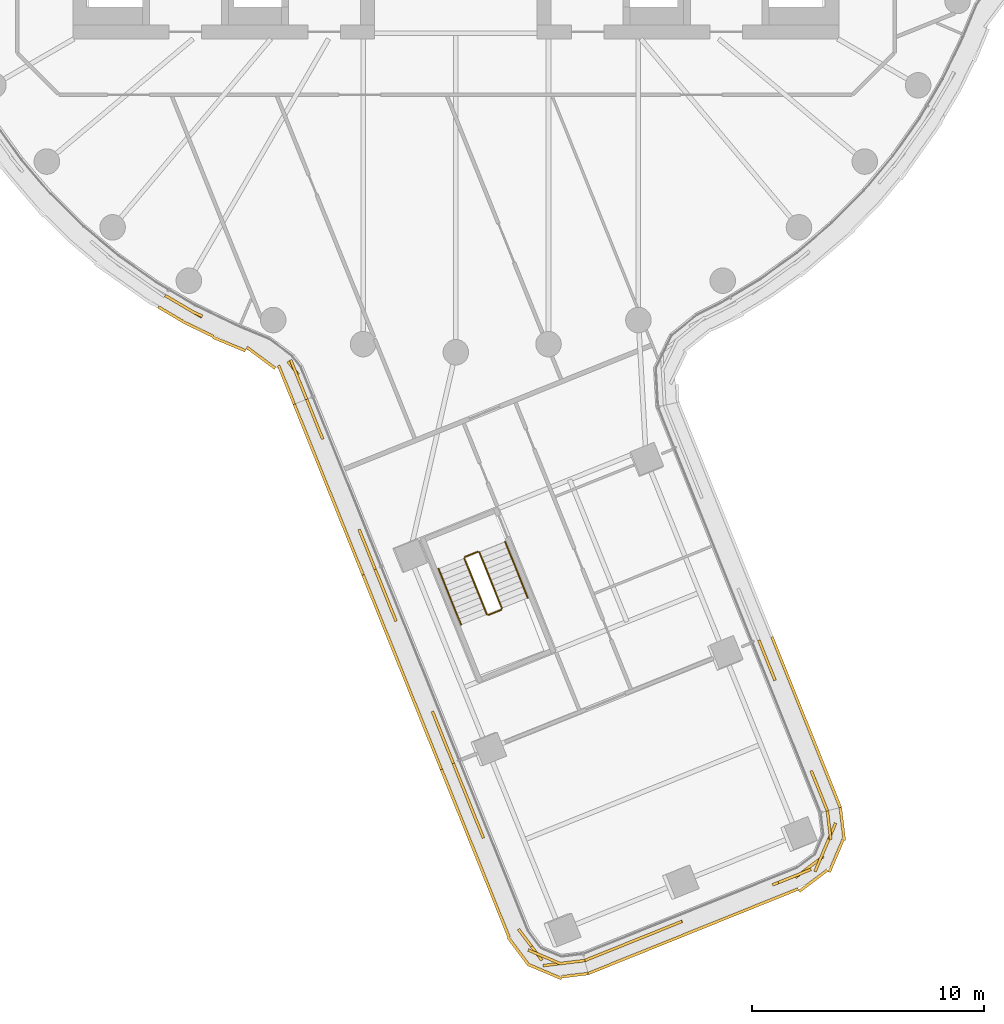
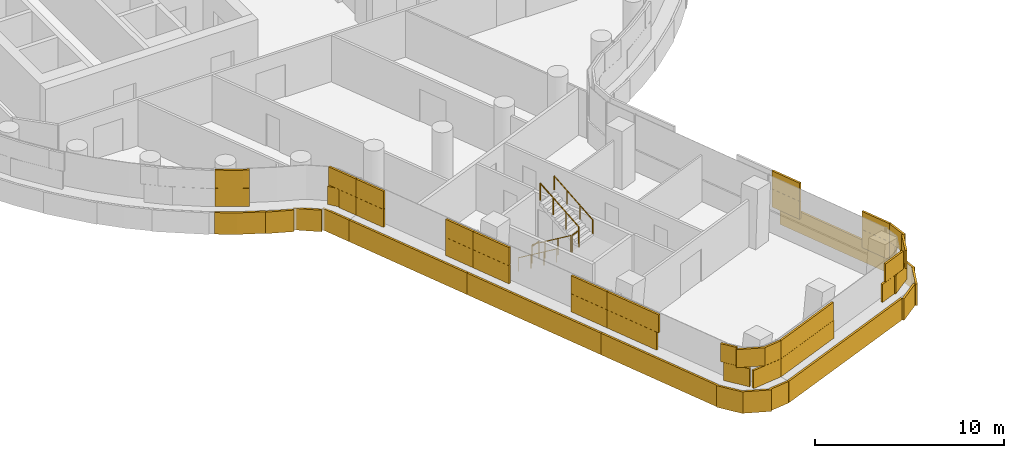
# One storey, part 26 of 32: 6 coverings, 6 railings.
"""IFC4 building model written with IfcOpenShell, lengths in metres."""

from ifc_helpers import new_model, si_unit, direction, frame, origin, origin_2d, place, context, subcontext, project, spatial, rectangle, circle, extrude, material, layer, layer_set, type_object, element, save


model = new_model("IFC4")

# Units and contexts
model_context = context("Model", 3, precision=1e-05, world=origin(), true_north=direction((0.0, 1.0)))
body_context = subcontext(model_context, "Body", "Model", "MODEL_VIEW")
ifc_project = project(units=[si_unit("LENGTHUNIT", "METRE"), si_unit("AREAUNIT", "SQUARE_METRE"), si_unit("VOLUMEUNIT", "CUBIC_METRE"), si_unit("PLANEANGLEUNIT", "RADIAN"), si_unit("MASSUNIT", "GRAM", prefix="KILO")], contexts=[model_context])

# Site, building, storey
site_placement = place(None, origin())
site = spatial("IfcSite", under=ifc_project, at=site_placement, CompositionType="ELEMENT")
building_placement = place(site_placement, origin())
building = spatial("IfcBuilding", under=site, at=building_placement, Name="Tamarind Cross Interchange Tower", CompositionType="ELEMENT")
storey_placement = place(building_placement, frame((0.0, 0.0, 113.5)))
storey = spatial("IfcBuildingStorey", under=building, at=storey_placement, Name="L27", CompositionType="ELEMENT", Elevation=113.5)

# Railings
ifc_material_1 = material(Name="Stair guard")
railing_type_1 = type_object("IfcRailingType", Name="Stair guard", PredefinedType="GUARDRAIL", material=ifc_material_1)
railing_1_placement = place(storey_placement, frame((0.36767578125, -31.878173828125, 0.17041015625)))
element("IfcRailing", 1, at=railing_1_placement, inside=storey, type_object=railing_type_1, Name="L27 ST6 stair guard 1", PredefinedType="GUARDRAIL", context=body_context, shape_type="SweptSolid", body=[
    extrude(circle(Radius=0.02392578125, at=origin_2d()), frame((0.0, 0.0, 1.076171875), z_axis=(0.312469690883, -0.775716412802, 0.548294390988), x_axis=(0.927573790047, 0.373640019295, 0.0)), (0.0, 0.0, 1.0), 3.10888671875),
    extrude(circle(Radius=0.02099609375, at=origin_2d()), origin(), (0.0, 0.0, 1.0), 1.052001953125),
    extrude(circle(Radius=0.02099609375, at=origin_2d()), frame((0.32373046875, -0.803955078125, 0.568115234375)), (0.0, 0.0, 1.0), 1.052001953125),
    extrude(circle(Radius=0.02099609375, at=origin_2d()), frame((0.647705078125, -1.607666015625, 1.136474609375)), (0.0, 0.0, 1.0), 1.052001953125),
    extrude(circle(Radius=0.02099609375, at=origin_2d()), frame((0.971435546875, -2.41162109375, 1.70458984375)), (0.0, 0.0, 1.0), 1.052001953125),
])
railing_2_placement = place(storey_placement, frame((1.404052734375, -34.317626953125, 1.875)))
element("IfcRailing", 2, at=railing_2_placement, inside=storey, type_object=railing_type_1, Name="L27 ST6 stair guard 2", PredefinedType="GUARDRAIL", context=body_context, shape_type="SweptSolid", body=[
    extrude(circle(Radius=0.02392578125, at=origin_2d()), frame((0.0, 0.0, 1.076171875), z_axis=(0.92749152794, 0.373844172885, 0.0), x_axis=(-0.373844172885, 0.92749152794, 0.0)), (0.0, 0.0, 1.0), 0.60009765625),
    extrude(circle(Radius=0.02099609375, at=origin_2d()), origin(), (0.0, 0.0, 1.0), 1.052001953125),
    extrude(circle(Radius=0.02099609375, at=origin_2d()), frame((0.556640625, 0.224365234375, 0.0)), (0.0, 0.0, 1.0), 1.052001953125),
])
railing_3_placement = place(storey_placement, frame((1.98828125, -34.0283203125, 2.04541015625)))
element("IfcRailing", 3, at=railing_3_placement, inside=storey, type_object=railing_type_1, Name="L27 ST6 stair guard 3", PredefinedType="GUARDRAIL", context=body_context, shape_type="SweptSolid", body=[
    extrude(circle(Radius=0.02392578125, at=origin_2d()), frame((0.0, 0.0, 1.076171875), z_axis=(-0.312450657011, 0.775747685502, 0.548260992021), x_axis=(-0.927586897837, -0.373607477122, 0.0)), (0.0, 0.0, 1.0), 3.109130859375),
    extrude(circle(Radius=0.02099609375, at=origin_2d()), origin(), (0.0, 0.0, 1.0), 1.052001953125),
    extrude(circle(Radius=0.02099609375, at=origin_2d()), frame((-0.32373046875, 0.803955078125, 0.568115234375)), (0.0, 0.0, 1.0), 1.052001953125),
    extrude(circle(Radius=0.02099609375, at=origin_2d()), frame((-0.647705078125, 1.60791015625, 1.136474609375)), (0.0, 0.0, 1.0), 1.052001953125),
    extrude(circle(Radius=0.02099609375, at=origin_2d()), frame((-0.971435546875, 2.411865234375, 1.70458984375)), (0.0, 0.0, 1.0), 1.052001953125),
])
railing_4_placement = place(storey_placement, frame((0.395263671875, -31.81298828125, 0.0)))
element("IfcRailing", 4, at=railing_4_placement, inside=storey, type_object=railing_type_1, Name="L27 ST6 stair guard 4", PredefinedType="GUARDRAIL", context=body_context, shape_type="SweptSolid", body=[
    extrude(circle(Radius=0.02392578125, at=origin_2d()), frame((0.0, 0.0, 1.076171875), z_axis=(0.927632534186, 0.373494151922, 0.0), x_axis=(-0.373494151922, 0.927632534186, 0.0)), (0.0, 0.0, 1.0), 0.60009765625),
    extrude(circle(Radius=0.02099609375, at=origin_2d()), origin(), (0.0, 0.0, 1.0), 1.052001953125),
    extrude(circle(Radius=0.02099609375, at=origin_2d()), frame((0.556640625, 0.22412109375, 0.0)), (0.0, 0.0, 1.0), 1.052001953125),
])
ifc_material_2 = material(Name="Stair handrail")
railing_type_2 = type_object("IfcRailingType", Name="Stair handrail", PredefinedType="HANDRAIL", material=ifc_material_2)
railing_5_placement = place(storey_placement, frame((-0.74560546875, -32.326416015625, 0.17041015625)))
element("IfcRailing", 5, at=railing_5_placement, inside=storey, type_object=railing_type_2, Name="L27 ST6 stair handrail 1", PredefinedType="HANDRAIL", context=body_context, shape_type="SweptSolid", body=[
    extrude(circle(Radius=0.02392578125, at=origin_2d()), frame((0.0, 0.0, 0.8759765625), z_axis=(0.312521513295, -0.775728650715, 0.548247539153), x_axis=(0.927554355892, 0.373688261611, 0.0)), (0.0, 0.0, 1.0), 3.109130859375),
    extrude(circle(Radius=0.02099609375, at=origin_2d()), origin(), (0.0, 0.0, 1.0), 0.851806640625),
    extrude(circle(Radius=0.02099609375, at=origin_2d()), frame((0.323974609375, -0.803955078125, 0.568115234375)), (0.0, 0.0, 1.0), 0.851806640625),
    extrude(circle(Radius=0.02099609375, at=origin_2d()), frame((0.647705078125, -1.60791015625, 1.136474609375)), (0.0, 0.0, 1.0), 0.851806640625),
    extrude(circle(Radius=0.02099609375, at=origin_2d()), frame((0.9716796875, -2.411865234375, 1.70458984375)), (0.0, 0.0, 1.0), 0.851806640625),
])
railing_6_placement = place(storey_placement, frame((3.101318359375, -33.579833984375, 2.04541015625)))
element("IfcRailing", 6, at=railing_6_placement, inside=storey, type_object=railing_type_2, Name="L27 ST6 stair handrail 2", PredefinedType="HANDRAIL", context=body_context, shape_type="SweptSolid", body=[
    extrude(circle(Radius=0.02392578125, at=origin_2d()), frame((0.0, 0.0, 0.8759765625), z_axis=(-0.312469690883, 0.775716412802, 0.548294390988), x_axis=(-0.927573790047, -0.373640019295, 0.0)), (0.0, 0.0, 1.0), 3.10888671875),
    extrude(circle(Radius=0.02099609375, at=origin_2d()), origin(), (0.0, 0.0, 1.0), 0.851806640625),
    extrude(circle(Radius=0.02099609375, at=origin_2d()), frame((-0.32373046875, 0.803955078125, 0.568115234375)), (0.0, 0.0, 1.0), 0.851806640625),
    extrude(circle(Radius=0.02099609375, at=origin_2d()), frame((-0.647705078125, 1.607666015625, 1.136474609375)), (0.0, 0.0, 1.0), 0.851806640625),
    extrude(circle(Radius=0.02099609375, at=origin_2d()), frame((-0.971435546875, 2.41162109375, 1.70458984375)), (0.0, 0.0, 1.0), 0.851806640625),
])

# Coverings
ifc_material_3 = material(Name="Terracotta", Category="masonry")
ifc_layer = layer(ifc_material_3, 0.1201171875)
ifc_layer_set = layer_set([ifc_layer], Name="Terracotta")
covering_type = type_object("IfcCoveringType", Name="Terracotta baguette screen unit", PredefinedType="MOLDING", material=ifc_layer_set)
covering_1_placement = place(storey_placement, origin())
element("IfcCovering", 7, at=covering_1_placement, inside=storey, type_object=covering_type, Name="SCR-L27-02-01", PredefinedType="MOLDING", context=body_context, shape_type="SweptSolid", body=[
    extrude(rectangle(XDim=0.75146484375, YDim=0.1201171875, at=origin_2d()), frame((-12.197265625, -20.745361328125, 1.404052734375), z_axis=(0.0, 0.0, 1.0), x_axis=(0.861248933065, -0.508183308752, 0.0)), (0.0, 0.0, 1.0), 1.1669921875),
    extrude(rectangle(XDim=1.095703125, YDim=0.1201171875, at=origin_2d()), frame((-11.410400390625, -21.209716796875, 1.404052734375), z_axis=(0.0, 0.0, 1.0), x_axis=(0.861248933065, -0.508183308752, 0.0)), (0.0, 0.0, 1.0), 1.1669921875),
    extrude(rectangle(XDim=0.72412109375, YDim=0.1201171875, at=origin_2d()), frame((-7.0087890625, -23.678955078125, 1.404052734375), z_axis=(0.0, 0.0, 1.0), x_axis=(0.613079496716, -0.790021221681, 0.0)), (0.0, 0.0, 1.0), 1.1669921875),
    extrude(rectangle(XDim=1.123046875, YDim=0.1201171875, at=origin_2d()), frame((-6.635009765625, -24.508056640625, 1.404052734375), z_axis=(0.0, 0.0, 1.0), x_axis=(0.376468064205, -0.926429596156, 0.0)), (0.0, 0.0, 1.0), 1.1669921875),
    extrude(rectangle(XDim=1.50146484375, YDim=0.1201171875, at=origin_2d()), frame((-11.874267578125, -20.93603515625, 2.5791015625), z_axis=(0.0, 0.0, 1.0), x_axis=(0.861248933065, -0.508183308752, 0.0)), (0.0, 0.0, 1.0), 1.1669921875),
    extrude(rectangle(XDim=0.345703125, YDim=0.1201171875, at=origin_2d()), frame((-11.074462890625, -21.376220703125, 2.5791015625), z_axis=(0.0, 0.0, 1.0), x_axis=(0.900272776334, -0.435326231914, 0.0)), (0.0, 0.0, 1.0), 1.1669921875),
    extrude(rectangle(XDim=1.47412109375, YDim=0.1201171875, at=origin_2d()), frame((-6.837890625, -24.00927734375, 2.5791015625), z_axis=(0.0, 0.0, 1.0), x_axis=(0.376468064205, -0.926429596156, 0.0)), (0.0, 0.0, 1.0), 1.1669921875),
    extrude(rectangle(XDim=0.373046875, YDim=0.1201171875, at=origin_2d()), frame((-6.493896484375, -24.85546875, 2.5791015625), z_axis=(0.0, 0.0, 1.0), x_axis=(0.376468064205, -0.926429596156, 0.0)), (0.0, 0.0, 1.0), 1.1669921875),
    extrude(rectangle(XDim=1.202880859375, YDim=0.1201171875, at=origin_2d()), frame((-12.297119140625, -21.35302734375, 0.00390625), z_axis=(0.0, 0.0, 1.0), x_axis=(0.861248933065, -0.508183308752, 0.0)), (0.0, 0.0, 1.0), 1.39208984375),
    extrude(rectangle(XDim=1.52001953125, YDim=0.1201171875, at=origin_2d()), frame((-11.119140625, -21.9921875, 0.00390625), z_axis=(0.0, 0.0, 1.0), x_axis=(0.900272776334, -0.435326231914, 0.0)), (0.0, 0.0, 1.0), 1.39208984375),
    extrude(rectangle(XDim=1.52001953125, YDim=0.1201171875, at=origin_2d()), frame((-9.767578125, -22.642578125, 0.00390625), z_axis=(0.0, 0.0, 1.0), x_axis=(0.92283459186, -0.385196464244, 0.0)), (0.0, 0.0, 1.0), 1.39208984375),
    extrude(rectangle(XDim=1.52001953125, YDim=0.1201171875, at=origin_2d()), frame((-8.393310546875, -23.23779296875, 0.00390625), z_axis=(0.0, 0.0, 1.0), x_axis=(0.801236664296, -0.59834756437, 0.0)), (0.0, 0.0, 1.0), 1.39208984375),
    extrude(rectangle(XDim=1.52001953125, YDim=0.1201171875, at=origin_2d()), frame((-7.349853515625, -24.273681640625, 0.00390625), z_axis=(0.0, 0.0, 1.0), x_axis=(0.376468064205, -0.926429596156, 0.0)), (0.0, 0.0, 1.0), 1.39208984375),
    extrude(rectangle(XDim=0.302001953125, YDim=0.1201171875, at=origin_2d()), frame((-7.0146484375, -25.09912109375, 0.00390625), z_axis=(0.0, 0.0, 1.0), x_axis=(0.376468064205, -0.926429596156, 0.0)), (0.0, 0.0, 1.0), 1.39208984375),
])
covering_2_placement = place(storey_placement, origin())
element("IfcCovering", 8, at=covering_2_placement, inside=storey, type_object=covering_type, Name="SCR-L27-03-00", PredefinedType="MOLDING", context=body_context, shape_type="SweptSolid", body=[
    extrude(rectangle(XDim=0.760009765625, YDim=0.1201171875, at=origin_2d()), frame((-6.285400390625, -25.37158203125, 1.404052734375), z_axis=(0.0, 0.0, 1.0), x_axis=(0.373648394893, -0.927570416192, 0.0)), (0.0, 0.0, 1.0), 1.1669921875),
    extrude(rectangle(XDim=1.110107421875, YDim=0.1201171875, at=origin_2d()), frame((-5.93994140625, -26.2294921875, 1.404052734375), z_axis=(0.0, 0.0, 1.0), x_axis=(0.373648394893, -0.927570416192, 0.0)), (0.0, 0.0, 1.0), 1.1669921875),
    extrude(rectangle(XDim=0.7099609375, YDim=0.1201171875, at=origin_2d()), frame((-4.0341796875, -30.960205078125, 1.404052734375), z_axis=(0.0, 0.0, 1.0), x_axis=(0.373648394893, -0.927570416192, 0.0)), (0.0, 0.0, 1.0), 1.1669921875),
    extrude(rectangle(XDim=1.159912109375, YDim=0.1201171875, at=origin_2d()), frame((-3.688720703125, -31.818115234375, 1.404052734375), z_axis=(0.0, 0.0, 1.0), x_axis=(0.373648394893, -0.927570416192, 0.0)), (0.0, 0.0, 1.0), 1.1669921875),
    extrude(rectangle(XDim=1.510009765625, YDim=0.1201171875, at=origin_2d()), frame((-6.145263671875, -25.719482421875, 2.5791015625), z_axis=(0.0, 0.0, 1.0), x_axis=(0.373648394893, -0.927570416192, 0.0)), (0.0, 0.0, 1.0), 1.1669921875),
    extrude(rectangle(XDim=0.360107421875, YDim=0.1201171875, at=origin_2d()), frame((-5.7998046875, -26.577392578125, 2.5791015625), z_axis=(0.0, 0.0, 1.0), x_axis=(0.373648394893, -0.927570416192, 0.0)), (0.0, 0.0, 1.0), 1.1669921875),
    extrude(rectangle(XDim=1.4599609375, YDim=0.1201171875, at=origin_2d()), frame((-3.89404296875, -31.30810546875, 2.5791015625), z_axis=(0.0, 0.0, 1.0), x_axis=(0.373648394893, -0.927570416192, 0.0)), (0.0, 0.0, 1.0), 1.1669921875),
    extrude(rectangle(XDim=0.409912109375, YDim=0.1201171875, at=origin_2d()), frame((-3.548583984375, -32.166015625, 2.5791015625), z_axis=(0.0, 0.0, 1.0), x_axis=(0.373648394893, -0.927570416192, 0.0)), (0.0, 0.0, 1.0), 1.1669921875),
    extrude(rectangle(XDim=0.760009765625, YDim=0.1201171875, at=origin_2d()), frame((-6.815673828125, -25.591552734375, 0.00390625), z_axis=(0.0, 0.0, 1.0), x_axis=(0.373648394893, -0.927570416192, 0.0)), (0.0, 0.0, 1.0), 1.39208984375),
    extrude(rectangle(XDim=1.52001953125, YDim=0.1201171875, at=origin_2d()), frame((-6.397216796875, -26.63037109375, 0.00390625), z_axis=(0.0, 0.0, 1.0), x_axis=(0.373648394893, -0.927570416192, 0.0)), (0.0, 0.0, 1.0), 1.39208984375),
    extrude(rectangle(XDim=1.52001953125, YDim=0.1201171875, at=origin_2d()), frame((-5.836669921875, -28.021728515625, 0.00390625), z_axis=(0.0, 0.0, 1.0), x_axis=(0.373648394893, -0.927570416192, 0.0)), (0.0, 0.0, 1.0), 1.39208984375),
    extrude(rectangle(XDim=1.52001953125, YDim=0.1201171875, at=origin_2d()), frame((-5.2763671875, -29.4130859375, 0.00390625), z_axis=(0.0, 0.0, 1.0), x_axis=(0.373648394893, -0.927570416192, 0.0)), (0.0, 0.0, 1.0), 1.39208984375),
    extrude(rectangle(XDim=1.52001953125, YDim=0.1201171875, at=origin_2d()), frame((-4.7158203125, -30.804443359375, 0.00390625), z_axis=(0.0, 0.0, 1.0), x_axis=(0.373648394893, -0.927570416192, 0.0)), (0.0, 0.0, 1.0), 1.39208984375),
    extrude(rectangle(XDim=1.183837890625, YDim=0.1201171875, at=origin_2d()), frame((-4.218017578125, -32.039794921875, 0.00390625), z_axis=(0.0, 0.0, 1.0), x_axis=(0.373648394893, -0.927570416192, 0.0)), (0.0, 0.0, 1.0), 1.39208984375),
])
covering_3_placement = place(storey_placement, origin())
element("IfcCovering", 9, at=covering_3_placement, inside=storey, type_object=covering_type, Name="SCR-L27-03-01", PredefinedType="MOLDING", context=body_context, shape_type="SweptSolid", body=[
    extrude(rectangle(XDim=0.35986328125, YDim=0.1201171875, at=origin_2d()), frame((-3.408447265625, -32.513916015625, 1.404052734375), z_axis=(0.0, 0.0, 1.0), x_axis=(0.373648394893, -0.927570416192, 0.0)), (0.0, 0.0, 1.0), 1.1669921875),
    extrude(rectangle(XDim=1.52001953125, YDim=0.1201171875, at=origin_2d()), frame((-3.062744140625, -33.371826171875, 1.404052734375), z_axis=(0.0, 0.0, 1.0), x_axis=(0.373648394893, -0.927570416192, 0.0)), (0.0, 0.0, 1.0), 1.1669921875),
    extrude(rectangle(XDim=0.562255859375, YDim=0.1201171875, at=origin_2d()), frame((-2.679443359375, -34.32373046875, 1.404052734375), z_axis=(0.0, 0.0, 1.0), x_axis=(0.373648394893, -0.927570416192, 0.0)), (0.0, 0.0, 1.0), 1.1669921875),
    extrude(rectangle(XDim=1.2578125, YDim=0.1201171875, at=origin_2d()), frame((-0.773681640625, -39.05419921875, 1.404052734375), z_axis=(0.0, 0.0, 1.0), x_axis=(0.373648394893, -0.927570416192, 0.0)), (0.0, 0.0, 1.0), 1.1669921875),
    extrude(rectangle(XDim=1.164306640625, YDim=0.1201171875, at=origin_2d()), frame((-0.324951171875, -40.168212890625, 1.404052734375), z_axis=(0.0, 0.0, 1.0), x_axis=(0.373648394893, -0.927570416192, 0.0)), (0.0, 0.0, 1.0), 1.1669921875),
    extrude(rectangle(XDim=1.10986328125, YDim=0.1201171875, at=origin_2d()), frame((-3.268310546875, -32.86181640625, 2.5791015625), z_axis=(0.0, 0.0, 1.0), x_axis=(0.373648394893, -0.927570416192, 0.0)), (0.0, 0.0, 1.0), 1.1669921875),
    extrude(rectangle(XDim=1.312255859375, YDim=0.1201171875, at=origin_2d()), frame((-2.819580078125, -33.975830078125, 2.5791015625), z_axis=(0.0, 0.0, 1.0), x_axis=(0.373648394893, -0.927570416192, 0.0)), (0.0, 0.0, 1.0), 1.1669921875),
    extrude(rectangle(XDim=0.5078125, YDim=0.1201171875, at=origin_2d()), frame((-0.913818359375, -38.706298828125, 2.5791015625), z_axis=(0.0, 0.0, 1.0), x_axis=(0.373648394893, -0.927570416192, 0.0)), (0.0, 0.0, 1.0), 1.1669921875),
    extrude(rectangle(XDim=1.52001953125, YDim=0.1201171875, at=origin_2d()), frame((-0.54052734375, -39.633056640625, 2.5791015625), z_axis=(0.0, 0.0, 1.0), x_axis=(0.373648394893, -0.927570416192, 0.0)), (0.0, 0.0, 1.0), 1.1669921875),
    extrude(rectangle(XDim=0.414306640625, YDim=0.1201171875, at=origin_2d()), frame((-0.184814453125, -40.51611328125, 2.5791015625), z_axis=(0.0, 0.0, 1.0), x_axis=(0.373648394893, -0.927570416192, 0.0)), (0.0, 0.0, 1.0), 1.1669921875),
    extrude(rectangle(XDim=0.336181640625, YDim=0.1201171875, at=origin_2d()), frame((-3.93408203125, -32.744873046875, 0.00390625), z_axis=(0.0, 0.0, 1.0), x_axis=(0.373648394893, -0.927570416192, 0.0)), (0.0, 0.0, 1.0), 1.39208984375),
    extrude(rectangle(XDim=1.52001953125, YDim=0.1201171875, at=origin_2d()), frame((-3.594970703125, -33.587158203125, 0.00390625), z_axis=(0.0, 0.0, 1.0), x_axis=(0.373648394893, -0.927570416192, 0.0)), (0.0, 0.0, 1.0), 1.39208984375),
    extrude(rectangle(XDim=1.52001953125, YDim=0.1201171875, at=origin_2d()), frame((-3.034423828125, -34.978515625, 0.00390625), z_axis=(0.0, 0.0, 1.0), x_axis=(0.373648394893, -0.927570416192, 0.0)), (0.0, 0.0, 1.0), 1.39208984375),
    extrude(rectangle(XDim=1.52001953125, YDim=0.1201171875, at=origin_2d()), frame((-2.473876953125, -36.369873046875, 0.00390625), z_axis=(0.0, 0.0, 1.0), x_axis=(0.373648394893, -0.927570416192, 0.0)), (0.0, 0.0, 1.0), 1.39208984375),
    extrude(rectangle(XDim=1.52001953125, YDim=0.1201171875, at=origin_2d()), frame((-1.913330078125, -37.76123046875, 0.00390625), z_axis=(0.0, 0.0, 1.0), x_axis=(0.373648394893, -0.927570416192, 0.0)), (0.0, 0.0, 1.0), 1.39208984375),
    extrude(rectangle(XDim=1.52001953125, YDim=0.1201171875, at=origin_2d()), frame((-1.35302734375, -39.152587890625, 0.00390625), z_axis=(0.0, 0.0, 1.0), x_axis=(0.373648394893, -0.927570416192, 0.0)), (0.0, 0.0, 1.0), 1.39208984375),
    extrude(rectangle(XDim=1.215087890625, YDim=0.1201171875, at=origin_2d()), frame((-0.849365234375, -40.402587890625, 0.00390625), z_axis=(0.0, 0.0, 1.0), x_axis=(0.373648394893, -0.927570416192, 0.0)), (0.0, 0.0, 1.0), 1.39208984375),
])
covering_4_placement = place(storey_placement, origin())
element("IfcCovering", 10, at=covering_4_placement, inside=storey, type_object=covering_type, Name="SCR-L27-03-02", PredefinedType="MOLDING", context=body_context, shape_type="SweptSolid", body=[
    extrude(rectangle(XDim=0.355712890625, YDim=0.1201171875, at=origin_2d()), frame((-0.044677734375, -40.864013671875, 1.404052734375), z_axis=(0.0, 0.0, 1.0), x_axis=(0.373648394893, -0.927570416192, 0.0)), (0.0, 0.0, 1.0), 1.1669921875),
    extrude(rectangle(XDim=1.52001953125, YDim=0.1201171875, at=origin_2d()), frame((0.300048828125, -41.719970703125, 1.404052734375), z_axis=(0.0, 0.0, 1.0), x_axis=(0.373648394893, -0.927570416192, 0.0)), (0.0, 0.0, 1.0), 1.1669921875),
    extrude(rectangle(XDim=1.52001953125, YDim=0.1201171875, at=origin_2d()), frame((0.860595703125, -43.111328125, 1.404052734375), z_axis=(0.0, 0.0, 1.0), x_axis=(0.373648394893, -0.927570416192, 0.0)), (0.0, 0.0, 1.0), 1.1669921875),
    extrude(rectangle(XDim=1.52001953125, YDim=0.1201171875, at=origin_2d()), frame((3.255126953125, -48.590576171875, 1.404052734375), z_axis=(0.0, 0.0, 1.0), x_axis=(0.600989523963, -0.799256899931, 0.0)), (0.0, 0.0, 1.0), 1.1669921875),
    extrude(rectangle(XDim=1.52001953125, YDim=0.1201171875, at=origin_2d()), frame((4.5087890625, -49.33251953125, 1.404052734375), z_axis=(0.0, 0.0, 1.0), x_axis=(0.992671541471, 0.120843745195, 0.0)), (0.0, 0.0, 1.0), 1.1669921875),
    extrude(rectangle(XDim=0.314697265625, YDim=0.1201171875, at=origin_2d()), frame((5.404541015625, -49.2236328125, 1.404052734375), z_axis=(0.0, 0.0, 1.0), x_axis=(0.992671541471, 0.120843745195, 0.0)), (0.0, 0.0, 1.0), 1.1669921875),
    extrude(rectangle(XDim=1.105712890625, YDim=0.1201171875, at=origin_2d()), frame((0.095458984375, -41.2119140625, 2.5791015625), z_axis=(0.0, 0.0, 1.0), x_axis=(0.373648394893, -0.927570416192, 0.0)), (0.0, 0.0, 1.0), 1.1669921875),
    extrude(rectangle(XDim=1.52001953125, YDim=0.1201171875, at=origin_2d()), frame((0.580322265625, -42.415771484375, 2.5791015625), z_axis=(0.0, 0.0, 1.0), x_axis=(0.373648394893, -0.927570416192, 0.0)), (0.0, 0.0, 1.0), 1.1669921875),
    extrude(rectangle(XDim=0.889404296875, YDim=0.1201171875, at=origin_2d()), frame((1.02490234375, -43.519287109375, 2.5791015625), z_axis=(0.0, 0.0, 1.0), x_axis=(0.373648394893, -0.927570416192, 0.0)), (0.0, 0.0, 1.0), 1.1669921875),
    extrude(rectangle(XDim=0.9306640625, YDim=0.1201171875, at=origin_2d()), frame((2.978515625, -48.22265625, 2.5791015625), z_axis=(0.0, 0.0, 1.0), x_axis=(0.600989523963, -0.799256899931, 0.0)), (0.0, 0.0, 1.0), 1.1669921875),
    extrude(rectangle(XDim=1.52001953125, YDim=0.1201171875, at=origin_2d()), frame((3.817626953125, -49.04736328125, 2.5791015625), z_axis=(0.0, 0.0, 1.0), x_axis=(0.920100645125, -0.391682017509, 0.0)), (0.0, 0.0, 1.0), 1.1669921875),
    extrude(rectangle(XDim=1.064697265625, YDim=0.1201171875, at=origin_2d()), frame((5.0322265625, -49.268798828125, 2.5791015625), z_axis=(0.0, 0.0, 1.0), x_axis=(0.992671541471, 0.120843745195, 0.0)), (0.0, 0.0, 1.0), 1.1669921875),
    extrude(rectangle(XDim=0.304931640625, YDim=0.1201171875, at=origin_2d()), frame((-0.5654296875, -41.107421875, 0.00390625), z_axis=(0.0, 0.0, 1.0), x_axis=(0.373648394893, -0.927570416192, 0.0)), (0.0, 0.0, 1.0), 1.39208984375),
    extrude(rectangle(XDim=1.52001953125, YDim=0.1201171875, at=origin_2d()), frame((-0.23193359375, -41.935302734375, 0.00390625), z_axis=(0.0, 0.0, 1.0), x_axis=(0.373648394893, -0.927570416192, 0.0)), (0.0, 0.0, 1.0), 1.39208984375),
    extrude(rectangle(XDim=1.52001953125, YDim=0.1201171875, at=origin_2d()), frame((0.328369140625, -43.32666015625, 0.00390625), z_axis=(0.0, 0.0, 1.0), x_axis=(0.373648394893, -0.927570416192, 0.0)), (0.0, 0.0, 1.0), 1.39208984375),
    extrude(rectangle(XDim=1.52001953125, YDim=0.1201171875, at=origin_2d()), frame((0.888916015625, -44.718017578125, 0.00390625), z_axis=(0.0, 0.0, 1.0), x_axis=(0.373648394893, -0.927570416192, 0.0)), (0.0, 0.0, 1.0), 1.39208984375),
    extrude(rectangle(XDim=1.52001953125, YDim=0.1201171875, at=origin_2d()), frame((1.449462890625, -46.109375, 0.00390625), z_axis=(0.0, 0.0, 1.0), x_axis=(0.373648394893, -0.927570416192, 0.0)), (0.0, 0.0, 1.0), 1.39208984375),
    extrude(rectangle(XDim=1.52001953125, YDim=0.1201171875, at=origin_2d()), frame((2.009765625, -47.500732421875, 0.00390625), z_axis=(0.0, 0.0, 1.0), x_axis=(0.373648394893, -0.927570416192, 0.0)), (0.0, 0.0, 1.0), 1.39208984375),
    extrude(rectangle(XDim=1.52001953125, YDim=0.1201171875, at=origin_2d()), frame((2.7060546875, -48.8154296875, 0.00390625), z_axis=(0.0, 0.0, 1.0), x_axis=(0.600989523963, -0.799256899931, 0.0)), (0.0, 0.0, 1.0), 1.39208984375),
    extrude(rectangle(XDim=1.52001953125, YDim=0.1201171875, at=origin_2d()), frame((3.861572265625, -49.68994140625, 0.00390625), z_axis=(0.0, 0.0, 1.0), x_axis=(0.920100645125, -0.391682017509, 0.0)), (0.0, 0.0, 1.0), 1.39208984375),
    extrude(rectangle(XDim=1.15576171875, YDim=0.1201171875, at=origin_2d()), frame((5.12646484375, -49.835693359375, 0.00390625), z_axis=(0.0, 0.0, 1.0), x_axis=(0.992671541471, 0.120843745195, 0.0)), (0.0, 0.0, 1.0), 1.39208984375),
])
covering_5_placement = place(storey_placement, origin())
element("IfcCovering", 11, at=covering_5_placement, inside=storey, type_object=covering_type, Name="SCR-L27-04-00", PredefinedType="MOLDING", context=body_context, shape_type="SweptSolid", body=[
    extrude(rectangle(XDim=0.760009765625, YDim=0.1201171875, at=origin_2d()), frame((5.903564453125, -49.06494140625, 1.404052734375), z_axis=(0.0, 0.0, 1.0), x_axis=(0.927570416192, 0.373648394893, 0.0)), (0.0, 0.0, 1.0), 1.1669921875),
    extrude(rectangle(XDim=1.52001953125, YDim=0.1201171875, at=origin_2d()), frame((6.947021484375, -48.644775390625, 1.404052734375), z_axis=(0.0, 0.0, 1.0), x_axis=(0.927570416192, 0.373648394893, 0.0)), (0.0, 0.0, 1.0), 1.1669921875),
    extrude(rectangle(XDim=1.52001953125, YDim=0.1201171875, at=origin_2d()), frame((8.33837890625, -48.084228515625, 1.404052734375), z_axis=(0.0, 0.0, 1.0), x_axis=(0.927570416192, 0.373648394893, 0.0)), (0.0, 0.0, 1.0), 1.1669921875),
    extrude(rectangle(XDim=0.784912109375, YDim=0.1201171875, at=origin_2d()), frame((9.3935546875, -47.6591796875, 1.404052734375), z_axis=(0.0, 0.0, 1.0), x_axis=(0.927570416192, 0.373648394893, 0.0)), (0.0, 0.0, 1.0), 1.1669921875),
    extrude(rectangle(XDim=1.03515625, YDim=0.1201171875, at=origin_2d()), frame((14.1240234375, -45.753662109375, 1.404052734375), z_axis=(0.0, 0.0, 1.0), x_axis=(0.927570416192, 0.373648394893, 0.0)), (0.0, 0.0, 1.0), 1.1669921875),
    extrude(rectangle(XDim=1.52001953125, YDim=0.1201171875, at=origin_2d()), frame((15.234130859375, -45.173583984375, 1.404052734375), z_axis=(0.0, 0.0, 1.0), x_axis=(0.799256899931, 0.600989523963, 0.0)), (0.0, 0.0, 1.0), 1.1669921875),
    extrude(rectangle(XDim=1.52001953125, YDim=0.1201171875, at=origin_2d()), frame((16.064208984375, -43.983154296875, 1.404052734375), z_axis=(0.0, 0.0, 1.0), x_axis=(0.391682017509, 0.920100645125, 0.0)), (0.0, 0.0, 1.0), 1.1669921875),
    extrude(rectangle(XDim=0.509521484375, YDim=0.1201171875, at=origin_2d()), frame((16.03466796875, -43.003662109375, 1.404052734375), z_axis=(0.0, 0.0, 1.0), x_axis=(-0.120843745195, 0.992671541471, 0.0)), (0.0, 0.0, 1.0), 1.1669921875),
    extrude(rectangle(XDim=1.510009765625, YDim=0.1201171875, at=origin_2d()), frame((6.25146484375, -48.9248046875, 2.5791015625), z_axis=(0.0, 0.0, 1.0), x_axis=(0.927570416192, 0.373648394893, 0.0)), (0.0, 0.0, 1.0), 1.1669921875),
    extrude(rectangle(XDim=1.52001953125, YDim=0.1201171875, at=origin_2d()), frame((7.642822265625, -48.364501953125, 2.5791015625), z_axis=(0.0, 0.0, 1.0), x_axis=(0.927570416192, 0.373648394893, 0.0)), (0.0, 0.0, 1.0), 1.1669921875),
    extrude(rectangle(XDim=1.52001953125, YDim=0.1201171875, at=origin_2d()), frame((9.0341796875, -47.803955078125, 2.5791015625), z_axis=(0.0, 0.0, 1.0), x_axis=(0.927570416192, 0.373648394893, 0.0)), (0.0, 0.0, 1.0), 1.1669921875),
    extrude(rectangle(XDim=1.52001953125, YDim=0.1201171875, at=origin_2d()), frame((14.599609375, -45.56201171875, 2.5791015625), z_axis=(0.0, 0.0, 1.0), x_axis=(0.927570416192, 0.373648394893, 0.0)), (0.0, 0.0, 1.0), 1.1669921875),
    extrude(rectangle(XDim=1.52001953125, YDim=0.1201171875, at=origin_2d()), frame((15.770263671875, -44.67333984375, 2.5791015625), z_axis=(0.0, 0.0, 1.0), x_axis=(0.391682017509, 0.920100645125, 0.0)), (0.0, 0.0, 1.0), 1.1669921875),
    extrude(rectangle(XDim=1.259521484375, YDim=0.1201171875, at=origin_2d()), frame((16.080078125, -43.3759765625, 2.5791015625), z_axis=(0.0, 0.0, 1.0), x_axis=(-0.120843745195, 0.992671541471, 0.0)), (0.0, 0.0, 1.0), 1.1669921875),
    extrude(rectangle(XDim=0.760009765625, YDim=0.1201171875, at=origin_2d()), frame((6.052490234375, -49.623779296875, 0.00390625), z_axis=(0.0, 0.0, 1.0), x_axis=(0.927570416192, 0.373648394893, 0.0)), (0.0, 0.0, 1.0), 1.39208984375),
    extrude(rectangle(XDim=1.52001953125, YDim=0.1201171875, at=origin_2d()), frame((7.091552734375, -49.205322265625, 0.00390625), z_axis=(0.0, 0.0, 1.0), x_axis=(0.927570416192, 0.373648394893, 0.0)), (0.0, 0.0, 1.0), 1.39208984375),
    extrude(rectangle(XDim=1.52001953125, YDim=0.1201171875, at=origin_2d()), frame((8.48291015625, -48.644775390625, 0.00390625), z_axis=(0.0, 0.0, 1.0), x_axis=(0.927570416192, 0.373648394893, 0.0)), (0.0, 0.0, 1.0), 1.39208984375),
    extrude(rectangle(XDim=1.52001953125, YDim=0.1201171875, at=origin_2d()), frame((9.874267578125, -48.08447265625, 0.00390625), z_axis=(0.0, 0.0, 1.0), x_axis=(0.927570416192, 0.373648394893, 0.0)), (0.0, 0.0, 1.0), 1.39208984375),
    extrude(rectangle(XDim=1.52001953125, YDim=0.1201171875, at=origin_2d()), frame((11.265625, -47.52392578125, 0.00390625), z_axis=(0.0, 0.0, 1.0), x_axis=(0.927570416192, 0.373648394893, 0.0)), (0.0, 0.0, 1.0), 1.39208984375),
    extrude(rectangle(XDim=1.52001953125, YDim=0.1201171875, at=origin_2d()), frame((12.656982421875, -46.96337890625, 0.00390625), z_axis=(0.0, 0.0, 1.0), x_axis=(0.927570416192, 0.373648394893, 0.0)), (0.0, 0.0, 1.0), 1.39208984375),
    extrude(rectangle(XDim=1.52001953125, YDim=0.1201171875, at=origin_2d()), frame((14.04833984375, -46.403076171875, 0.00390625), z_axis=(0.0, 0.0, 1.0), x_axis=(0.927570416192, 0.373648394893, 0.0)), (0.0, 0.0, 1.0), 1.39208984375),
    extrude(rectangle(XDim=1.52001953125, YDim=0.1201171875, at=origin_2d()), frame((15.39794921875, -45.7685546875, 0.00390625), z_axis=(0.0, 0.0, 1.0), x_axis=(0.799256899931, 0.600989523963, 0.0)), (0.0, 0.0, 1.0), 1.39208984375),
    extrude(rectangle(XDim=1.52001953125, YDim=0.1201171875, at=origin_2d()), frame((16.383056640625, -44.69970703125, 0.00390625), z_axis=(0.0, 0.0, 1.0), x_axis=(0.391682017509, 0.920100645125, 0.0)), (0.0, 0.0, 1.0), 1.39208984375),
    extrude(rectangle(XDim=1.426513671875, YDim=0.1201171875, at=origin_2d()), frame((16.6513671875, -43.31982421875, 0.00390625), z_axis=(0.0, 0.0, 1.0), x_axis=(-0.120843745195, 0.992671541471, 0.0)), (0.0, 0.0, 1.0), 1.39208984375),
])
covering_6_placement = place(storey_placement, origin())
element("IfcCovering", 12, at=covering_6_placement, inside=storey, type_object=covering_type, Name="SCR-L27-05-00", PredefinedType="MOLDING", context=body_context, shape_type="SweptSolid", body=[
    extrude(rectangle(XDim=0.760009765625, YDim=0.1201171875, at=origin_2d()), frame((15.864990234375, -42.40771484375, 1.404052734375), z_axis=(0.0, 0.0, 1.0), x_axis=(-0.372124229448, 0.928182933401, 0.0)), (0.0, 0.0, 1.0), 1.1669921875),
    extrude(rectangle(XDim=1.11962890625, YDim=0.1201171875, at=origin_2d()), frame((15.51904296875, -41.544677734375, 1.404052734375), z_axis=(0.0, 0.0, 1.0), x_axis=(-0.372124229448, 0.928182933401, 0.0)), (0.0, 0.0, 1.0), 1.1669921875),
    extrude(rectangle(XDim=0.700439453125, YDim=0.1201171875, at=origin_2d()), frame((13.62109375, -36.810791015625, 1.404052734375), z_axis=(0.0, 0.0, 1.0), x_axis=(-0.372124229448, 0.928182933401, 0.0)), (0.0, 0.0, 1.0), 1.1669921875),
    extrude(rectangle(XDim=1.179443359375, YDim=0.1201171875, at=origin_2d()), frame((13.275146484375, -35.94775390625, 1.404052734375), z_axis=(0.0, 0.0, 1.0), x_axis=(-0.372124229448, 0.928182933401, 0.0)), (0.0, 0.0, 1.0), 1.1669921875),
    extrude(rectangle(XDim=1.510009765625, YDim=0.1201171875, at=origin_2d()), frame((15.725341796875, -42.0595703125, 2.5791015625), z_axis=(0.0, 0.0, 1.0), x_axis=(-0.372124229448, 0.928182933401, 0.0)), (0.0, 0.0, 1.0), 1.1669921875),
    extrude(rectangle(XDim=0.36962890625, YDim=0.1201171875, at=origin_2d()), frame((15.37939453125, -41.196533203125, 2.5791015625), z_axis=(0.0, 0.0, 1.0), x_axis=(-0.372124229448, 0.928182933401, 0.0)), (0.0, 0.0, 1.0), 1.1669921875),
    extrude(rectangle(XDim=1.450439453125, YDim=0.1201171875, at=origin_2d()), frame((13.481689453125, -36.462890625, 2.5791015625), z_axis=(0.0, 0.0, 1.0), x_axis=(-0.372124229448, 0.928182933401, 0.0)), (0.0, 0.0, 1.0), 1.1669921875),
    extrude(rectangle(XDim=0.429443359375, YDim=0.1201171875, at=origin_2d()), frame((13.135498046875, -35.599853515625, 2.5791015625), z_axis=(0.0, 0.0, 1.0), x_axis=(-0.372124229448, 0.928182933401, 0.0)), (0.0, 0.0, 1.0), 1.1669921875),
    extrude(rectangle(XDim=0.760009765625, YDim=0.1201171875, at=origin_2d()), frame((16.423828125, -42.259033203125, 0.00390625), z_axis=(0.0, 0.0, 1.0), x_axis=(-0.372124229448, 0.928182933401, 0.0)), (0.0, 0.0, 1.0), 1.39208984375),
    extrude(rectangle(XDim=1.52001953125, YDim=0.1201171875, at=origin_2d()), frame((16.007080078125, -41.219482421875, 0.00390625), z_axis=(0.0, 0.0, 1.0), x_axis=(-0.372124229448, 0.928182933401, 0.0)), (0.0, 0.0, 1.0), 1.39208984375),
    extrude(rectangle(XDim=1.52001953125, YDim=0.1201171875, at=origin_2d()), frame((15.448974609375, -39.827392578125, 0.00390625), z_axis=(0.0, 0.0, 1.0), x_axis=(-0.372124229448, 0.928182933401, 0.0)), (0.0, 0.0, 1.0), 1.39208984375),
    extrude(rectangle(XDim=1.52001953125, YDim=0.1201171875, at=origin_2d()), frame((14.890625, -38.43505859375, 0.00390625), z_axis=(0.0, 0.0, 1.0), x_axis=(-0.372124229448, 0.928182933401, 0.0)), (0.0, 0.0, 1.0), 1.39208984375),
    extrude(rectangle(XDim=1.52001953125, YDim=0.1201171875, at=origin_2d()), frame((14.33251953125, -37.042724609375, 0.00390625), z_axis=(0.0, 0.0, 1.0), x_axis=(-0.372124229448, 0.928182933401, 0.0)), (0.0, 0.0, 1.0), 1.39208984375),
    extrude(rectangle(XDim=1.17138671875, YDim=0.1201171875, at=origin_2d()), frame((13.839111328125, -35.812255859375, 0.00390625), z_axis=(0.0, 0.0, 1.0), x_axis=(-0.372124229448, 0.928182933401, 0.0)), (0.0, 0.0, 1.0), 1.39208984375),
])

save(model, "model.ifc")
